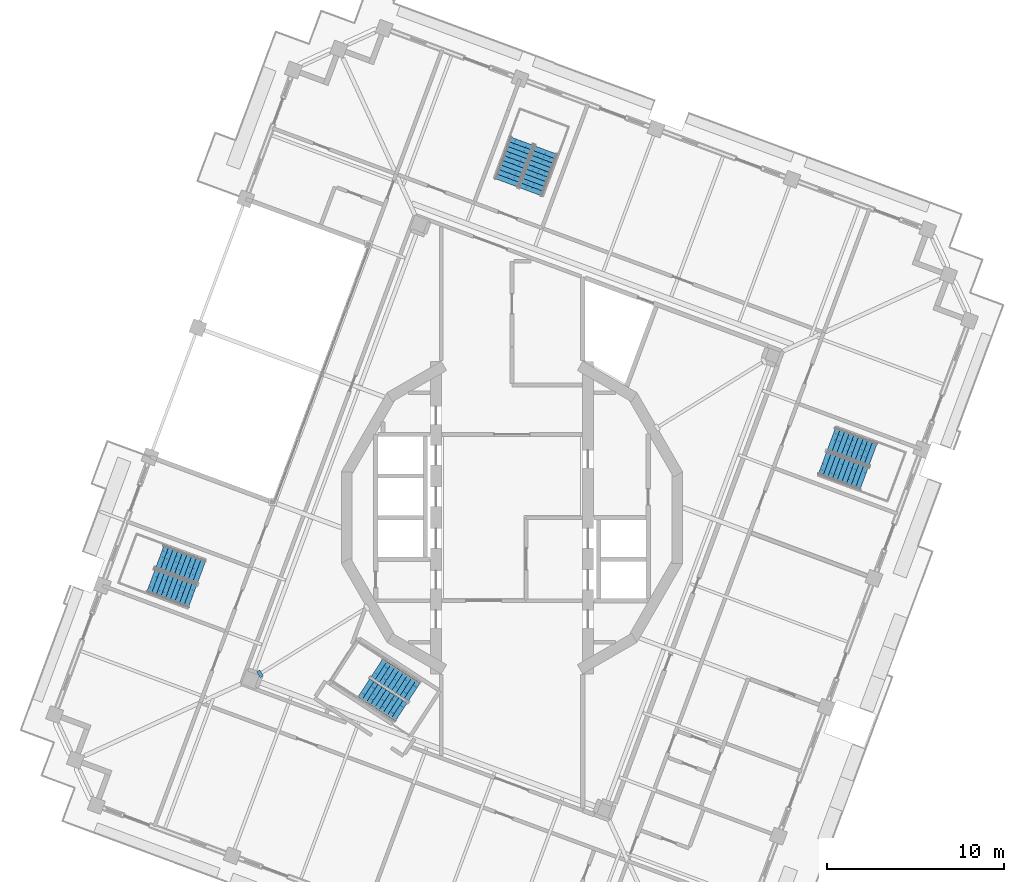
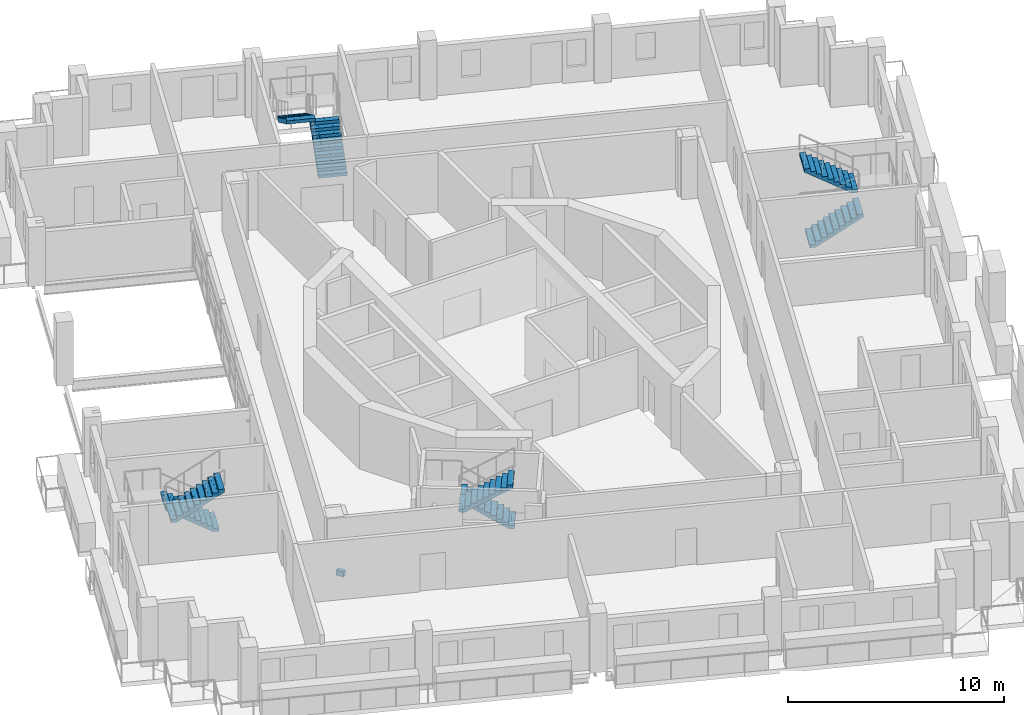
# One storey, part 13 of 20: 8 stair flights, 1 discrete accessory, 4 elements without a shape of their own.
"""IFC4 building model written with IfcOpenShell, lengths in metres."""

from ifc_helpers import new_model, si_unit, direction, frame, origin, place, context, subcontext, project, spatial, polyline, outline, extrude, material, layer, layer_set, type_object, element, aggregate, save


model = new_model("IFC4")

# Units and contexts
model_context = context("Model", 3, precision=1e-05, world=origin(), true_north=direction((0.0, 1.0)))
body_context = subcontext(model_context, "Body", "Model", "MODEL_VIEW")
ifc_project = project(units=[si_unit("LENGTHUNIT", "METRE"), si_unit("AREAUNIT", "SQUARE_METRE"), si_unit("VOLUMEUNIT", "CUBIC_METRE"), si_unit("PLANEANGLEUNIT", "RADIAN"), si_unit("MASSUNIT", "GRAM", prefix="KILO")], contexts=[model_context])

# Site, building, storey
site_placement = place(None, origin())
site = spatial("IfcSite", under=ifc_project, at=site_placement, CompositionType="ELEMENT")
building_placement = place(site_placement, origin())
building = spatial("IfcBuilding", under=site, at=building_placement, Name="Cantera Rosa Tower", CompositionType="ELEMENT")
storey_placement = place(building_placement, frame((0.0, 0.0, 313.300048828125)))
storey = spatial("IfcBuildingStorey", under=building, at=storey_placement, Name="L69", CompositionType="ELEMENT", Elevation=313.300048828125)

# Stair, stair flights
ifc_material_1 = material(Name="Concrete C35/45", Category="concrete")
stair_type_1 = type_object("IfcStairType", Name="EXIT STAIR 1200 DOGLEG", PredefinedType="HALF_TURN_STAIR", material=ifc_material_1)
stair_1_placement = place(storey_placement, origin())
stair_1 = element("IfcStair", 1, at=stair_1_placement, inside=storey, type_object=stair_type_1, Name="L69 ST-64", PredefinedType="HALF_TURN_STAIR")
ifc_material_2 = material(Name="Concrete C35/45", Category="concrete")
stair_flight_type_1 = type_object("IfcStairFlightType", Name="STAIR FLIGHT 1200 R20x180", PredefinedType="STRAIGHT", material=ifc_material_2)
stair_flight_1_placement = place(storey_placement, frame((-5.532470703125, -9.878173828125, 0.0), z_axis=(0.0, 0.0, 1.0), x_axis=(-0.838670567945, 0.544639035015, 0.0)))
stair_flight_1 = element("IfcStairFlight", 2, at=stair_flight_1_placement, type_object=stair_flight_type_1, Name="ST-64 flight 1", NumberOfRisers=10, NumberOfTreads=9, PredefinedType="STRAIGHT", RiserHeight=0.18, TreadLength=0.28, context=body_context, shape_type="SweptSolid", body=[
    extrude(outline(polyline([(0.0, 0.0), (0.0, 0.179931640625), (0.280029296875, 0.179931640625), (0.280029296875, 0.360107421875), (0.56005859375, 0.360107421875), (0.56005859375, 0.5400390625), (0.840087890625, 0.5400390625), (0.840087890625, 0.719970703125), (1.1201171875, 0.719970703125), (1.1201171875, 0.89990234375), (1.39990234375, 0.89990234375), (1.39990234375, 1.080078125), (1.679931640625, 1.080078125), (1.679931640625, 1.260009765625), (1.9599609375, 1.260009765625), (1.9599609375, 1.43994140625), (2.239990234375, 1.43994140625), (2.239990234375, 1.6201171875), (2.52001953125, 1.6201171875), (2.52001953125, 1.800048828125), (2.52001953125, 1.44189453125), (0.277099609375, 0.0), (0.0, 0.0)])), frame((0.0, 0.60009765625, 0.0), z_axis=(0.0, -1.0, 0.0), x_axis=(1.0, 0.0, 0.0)), (0.0, 0.0, 1.0), 0.298583984375),
    extrude(outline(polyline([(0.0, 0.0), (0.0, 0.179931640625), (0.280029296875, 0.179931640625), (0.280029296875, 0.360107421875), (0.56005859375, 0.360107421875), (0.56005859375, 0.5400390625), (0.840087890625, 0.5400390625), (0.840087890625, 0.719970703125), (1.1201171875, 0.719970703125), (1.1201171875, 0.89990234375), (1.39990234375, 0.89990234375), (1.39990234375, 1.080078125), (1.679931640625, 1.080078125), (1.679931640625, 1.260009765625), (1.9599609375, 1.260009765625), (1.9599609375, 1.43994140625), (2.239990234375, 1.43994140625), (2.239990234375, 1.6201171875), (2.52001953125, 1.6201171875), (2.52001953125, 1.800048828125), (2.52001953125, 1.44189453125), (0.277099609375, 0.0), (0.0, 0.0)])), frame((0.0, 0.29931640625, 0.0), z_axis=(0.0, -1.0, 0.0), x_axis=(1.0, 0.0, 0.0)), (0.0, 0.0, 1.0), 0.298583984375),
    extrude(outline(polyline([(0.0, 0.0), (0.0, 0.179931640625), (0.280029296875, 0.179931640625), (0.280029296875, 0.360107421875), (0.56005859375, 0.360107421875), (0.56005859375, 0.5400390625), (0.840087890625, 0.5400390625), (0.840087890625, 0.719970703125), (1.1201171875, 0.719970703125), (1.1201171875, 0.89990234375), (1.39990234375, 0.89990234375), (1.39990234375, 1.080078125), (1.679931640625, 1.080078125), (1.679931640625, 1.260009765625), (1.9599609375, 1.260009765625), (1.9599609375, 1.43994140625), (2.239990234375, 1.43994140625), (2.239990234375, 1.6201171875), (2.52001953125, 1.6201171875), (2.52001953125, 1.800048828125), (2.52001953125, 1.44189453125), (0.277099609375, 0.0), (0.0, 0.0)])), frame((0.0, -0.0009765625, 0.0), z_axis=(0.0, -1.0, 0.0), x_axis=(1.0, 0.0, 0.0)), (0.0, 0.0, 1.0), 0.298583984375),
    extrude(outline(polyline([(0.0, 0.0), (0.0, 0.179931640625), (0.280029296875, 0.179931640625), (0.280029296875, 0.360107421875), (0.56005859375, 0.360107421875), (0.56005859375, 0.5400390625), (0.840087890625, 0.5400390625), (0.840087890625, 0.719970703125), (1.1201171875, 0.719970703125), (1.1201171875, 0.89990234375), (1.39990234375, 0.89990234375), (1.39990234375, 1.080078125), (1.679931640625, 1.080078125), (1.679931640625, 1.260009765625), (1.9599609375, 1.260009765625), (1.9599609375, 1.43994140625), (2.239990234375, 1.43994140625), (2.239990234375, 1.6201171875), (2.52001953125, 1.6201171875), (2.52001953125, 1.800048828125), (2.52001953125, 1.44189453125), (0.277099609375, 0.0), (0.0, 0.0)])), frame((0.0, -0.3017578125, 0.0), z_axis=(0.0, -1.0, 0.0), x_axis=(1.0, 0.0, 0.0)), (0.0, 0.0, 1.0), 0.298583984375),
])
stair_flight_2_placement = place(storey_placement, frame((-8.381103515625, -9.6376953125, 1.800048828125), z_axis=(0.0, 0.0, 1.0), x_axis=(0.838670567945, -0.544639035015, 0.0)))
stair_flight_2 = element("IfcStairFlight", 3, at=stair_flight_2_placement, type_object=stair_flight_type_1, Name="ST-64 flight 2", NumberOfRisers=10, NumberOfTreads=9, PredefinedType="STRAIGHT", RiserHeight=0.18, TreadLength=0.28, context=body_context, shape_type="SweptSolid", body=[
    extrude(outline(polyline([(0.0, 0.0), (0.0, 0.179931640625), (0.280029296875, 0.179931640625), (0.280029296875, 0.360107421875), (0.56005859375, 0.360107421875), (0.56005859375, 0.5400390625), (0.840087890625, 0.5400390625), (0.840087890625, 0.719970703125), (1.1201171875, 0.719970703125), (1.1201171875, 0.89990234375), (1.39990234375, 0.89990234375), (1.39990234375, 1.080078125), (1.679931640625, 1.080078125), (1.679931640625, 1.260009765625), (1.9599609375, 1.260009765625), (1.9599609375, 1.43994140625), (2.239990234375, 1.43994140625), (2.239990234375, 1.6201171875), (2.52001953125, 1.6201171875), (2.52001953125, 1.800048828125), (2.52001953125, 1.44189453125), (0.277099609375, 0.0), (0.0, 0.0)])), frame((0.0, 0.60009765625, 0.0), z_axis=(0.0, -1.0, 0.0), x_axis=(1.0, 0.0, 0.0)), (0.0, 0.0, 1.0), 0.298583984375),
    extrude(outline(polyline([(0.0, 0.0), (0.0, 0.179931640625), (0.280029296875, 0.179931640625), (0.280029296875, 0.360107421875), (0.56005859375, 0.360107421875), (0.56005859375, 0.5400390625), (0.840087890625, 0.5400390625), (0.840087890625, 0.719970703125), (1.1201171875, 0.719970703125), (1.1201171875, 0.89990234375), (1.39990234375, 0.89990234375), (1.39990234375, 1.080078125), (1.679931640625, 1.080078125), (1.679931640625, 1.260009765625), (1.9599609375, 1.260009765625), (1.9599609375, 1.43994140625), (2.239990234375, 1.43994140625), (2.239990234375, 1.6201171875), (2.52001953125, 1.6201171875), (2.52001953125, 1.800048828125), (2.52001953125, 1.44189453125), (0.277099609375, 0.0), (0.0, 0.0)])), frame((0.0, 0.29931640625, 0.0), z_axis=(0.0, -1.0, 0.0), x_axis=(1.0, 0.0, 0.0)), (0.0, 0.0, 1.0), 0.298583984375),
    extrude(outline(polyline([(0.0, 0.0), (0.0, 0.179931640625), (0.280029296875, 0.179931640625), (0.280029296875, 0.360107421875), (0.56005859375, 0.360107421875), (0.56005859375, 0.5400390625), (0.840087890625, 0.5400390625), (0.840087890625, 0.719970703125), (1.1201171875, 0.719970703125), (1.1201171875, 0.89990234375), (1.39990234375, 0.89990234375), (1.39990234375, 1.080078125), (1.679931640625, 1.080078125), (1.679931640625, 1.260009765625), (1.9599609375, 1.260009765625), (1.9599609375, 1.43994140625), (2.239990234375, 1.43994140625), (2.239990234375, 1.6201171875), (2.52001953125, 1.6201171875), (2.52001953125, 1.800048828125), (2.52001953125, 1.44189453125), (0.277099609375, 0.0), (0.0, 0.0)])), frame((0.0, -0.0009765625, 0.0), z_axis=(0.0, -1.0, 0.0), x_axis=(1.0, 0.0, 0.0)), (0.0, 0.0, 1.0), 0.298583984375),
    extrude(outline(polyline([(0.0, 0.0), (0.0, 0.179931640625), (0.280029296875, 0.179931640625), (0.280029296875, 0.360107421875), (0.56005859375, 0.360107421875), (0.56005859375, 0.5400390625), (0.840087890625, 0.5400390625), (0.840087890625, 0.719970703125), (1.1201171875, 0.719970703125), (1.1201171875, 0.89990234375), (1.39990234375, 0.89990234375), (1.39990234375, 1.080078125), (1.679931640625, 1.080078125), (1.679931640625, 1.260009765625), (1.9599609375, 1.260009765625), (1.9599609375, 1.43994140625), (2.239990234375, 1.43994140625), (2.239990234375, 1.6201171875), (2.52001953125, 1.6201171875), (2.52001953125, 1.800048828125), (2.52001953125, 1.44189453125), (0.277099609375, 0.0), (0.0, 0.0)])), frame((0.0, -0.3017578125, 0.0), z_axis=(0.0, -1.0, 0.0), x_axis=(1.0, 0.0, 0.0)), (0.0, 0.0, 1.0), 0.298583984375),
])
aggregate(stair_1, [stair_flight_1, stair_flight_2])

ifc_material_3 = material(Name="Concrete C35/45", Category="concrete")
stair_type_2 = type_object("IfcStairType", Name="EXIT STAIR 1350 DOGLEG", PredefinedType="HALF_TURN_STAIR", material=ifc_material_3)
stair_2_placement = place(storey_placement, origin())
stair_2 = element("IfcStair", 4, at=stair_2_placement, inside=storey, type_object=stair_type_2, Name="L69 ST-61", PredefinedType="HALF_TURN_STAIR")
ifc_material_4 = material(Name="Concrete C35/45", Category="concrete")
stair_flight_type_2 = type_object("IfcStairFlightType", Name="STAIR FLIGHT 1350 R20x180", PredefinedType="STRAIGHT", material=ifc_material_4)
stair_flight_3_placement = place(storey_placement, frame((17.55908203125, 3.064453125, 0.0), z_axis=(0.0, 0.0, 1.0), x_axis=(0.937686938944, -0.347481229039, 0.0)))
stair_flight_3 = element("IfcStairFlight", 5, at=stair_flight_3_placement, type_object=stair_flight_type_2, Name="ST-61 flight 1", NumberOfRisers=10, NumberOfTreads=9, PredefinedType="STRAIGHT", RiserHeight=0.18, TreadLength=0.28, context=body_context, shape_type="SweptSolid", body=[
    extrude(outline(polyline([(0.0, 0.0), (0.0, 0.179931640625), (0.280029296875, 0.179931640625), (0.280029296875, 0.360107421875), (0.56005859375, 0.360107421875), (0.56005859375, 0.5400390625), (0.840087890625, 0.5400390625), (0.840087890625, 0.719970703125), (1.1201171875, 0.719970703125), (1.1201171875, 0.89990234375), (1.39990234375, 0.89990234375), (1.39990234375, 1.080078125), (1.679931640625, 1.080078125), (1.679931640625, 1.260009765625), (1.9599609375, 1.260009765625), (1.9599609375, 1.43994140625), (2.239990234375, 1.43994140625), (2.239990234375, 1.6201171875), (2.52001953125, 1.6201171875), (2.52001953125, 1.800048828125), (2.52001953125, 1.44189453125), (0.277099609375, 0.0), (0.0, 0.0)])), frame((0.0, 0.675048828125, 0.0), z_axis=(0.0, -1.0, 0.0), x_axis=(1.0, 0.0, 0.0)), (0.0, 0.0, 1.0), 0.3359375),
    extrude(outline(polyline([(0.0, 0.0), (0.0, 0.179931640625), (0.280029296875, 0.179931640625), (0.280029296875, 0.360107421875), (0.56005859375, 0.360107421875), (0.56005859375, 0.5400390625), (0.840087890625, 0.5400390625), (0.840087890625, 0.719970703125), (1.1201171875, 0.719970703125), (1.1201171875, 0.89990234375), (1.39990234375, 0.89990234375), (1.39990234375, 1.080078125), (1.679931640625, 1.080078125), (1.679931640625, 1.260009765625), (1.9599609375, 1.260009765625), (1.9599609375, 1.43994140625), (2.239990234375, 1.43994140625), (2.239990234375, 1.6201171875), (2.52001953125, 1.6201171875), (2.52001953125, 1.800048828125), (2.52001953125, 1.44189453125), (0.277099609375, 0.0), (0.0, 0.0)])), frame((0.0, 0.337158203125, 0.0), z_axis=(0.0, -1.0, 0.0), x_axis=(1.0, 0.0, 0.0)), (0.0, 0.0, 1.0), 0.3359375),
    extrude(outline(polyline([(0.0, 0.0), (0.0, 0.179931640625), (0.280029296875, 0.179931640625), (0.280029296875, 0.360107421875), (0.56005859375, 0.360107421875), (0.56005859375, 0.5400390625), (0.840087890625, 0.5400390625), (0.840087890625, 0.719970703125), (1.1201171875, 0.719970703125), (1.1201171875, 0.89990234375), (1.39990234375, 0.89990234375), (1.39990234375, 1.080078125), (1.679931640625, 1.080078125), (1.679931640625, 1.260009765625), (1.9599609375, 1.260009765625), (1.9599609375, 1.43994140625), (2.239990234375, 1.43994140625), (2.239990234375, 1.6201171875), (2.52001953125, 1.6201171875), (2.52001953125, 1.800048828125), (2.52001953125, 1.44189453125), (0.277099609375, 0.0), (0.0, 0.0)])), frame((0.0, -0.000732421875, 0.0), z_axis=(0.0, -1.0, 0.0), x_axis=(1.0, 0.0, 0.0)), (0.0, 0.0, 1.0), 0.3359375),
    extrude(outline(polyline([(0.0, 0.0), (0.0, 0.179931640625), (0.280029296875, 0.179931640625), (0.280029296875, 0.360107421875), (0.56005859375, 0.360107421875), (0.56005859375, 0.5400390625), (0.840087890625, 0.5400390625), (0.840087890625, 0.719970703125), (1.1201171875, 0.719970703125), (1.1201171875, 0.89990234375), (1.39990234375, 0.89990234375), (1.39990234375, 1.080078125), (1.679931640625, 1.080078125), (1.679931640625, 1.260009765625), (1.9599609375, 1.260009765625), (1.9599609375, 1.43994140625), (2.239990234375, 1.43994140625), (2.239990234375, 1.6201171875), (2.52001953125, 1.6201171875), (2.52001953125, 1.800048828125), (2.52001953125, 1.44189453125), (0.277099609375, 0.0), (0.0, 0.0)])), frame((0.0, -0.338623046875, 0.0), z_axis=(0.0, -1.0, 0.0), x_axis=(1.0, 0.0, 0.0)), (0.0, 0.0, 1.0), 0.3359375),
])
stair_flight_4_placement = place(storey_placement, frame((20.443115234375, 3.595458984375, 1.800048828125), z_axis=(0.0, 0.0, 1.0), x_axis=(-0.937686938944, 0.347481229039, 0.0)))
stair_flight_4 = element("IfcStairFlight", 6, at=stair_flight_4_placement, type_object=stair_flight_type_2, Name="ST-61 flight 2", NumberOfRisers=10, NumberOfTreads=9, PredefinedType="STRAIGHT", RiserHeight=0.18, TreadLength=0.28, context=body_context, shape_type="SweptSolid", body=[
    extrude(outline(polyline([(0.0, 0.0), (0.0, 0.179931640625), (0.280029296875, 0.179931640625), (0.280029296875, 0.360107421875), (0.56005859375, 0.360107421875), (0.56005859375, 0.5400390625), (0.840087890625, 0.5400390625), (0.840087890625, 0.719970703125), (1.1201171875, 0.719970703125), (1.1201171875, 0.89990234375), (1.39990234375, 0.89990234375), (1.39990234375, 1.080078125), (1.679931640625, 1.080078125), (1.679931640625, 1.260009765625), (1.9599609375, 1.260009765625), (1.9599609375, 1.43994140625), (2.239990234375, 1.43994140625), (2.239990234375, 1.6201171875), (2.52001953125, 1.6201171875), (2.52001953125, 1.800048828125), (2.52001953125, 1.44189453125), (0.277099609375, 0.0), (0.0, 0.0)])), frame((0.0, 0.675048828125, 0.0), z_axis=(0.0, -1.0, 0.0), x_axis=(1.0, 0.0, 0.0)), (0.0, 0.0, 1.0), 0.3359375),
    extrude(outline(polyline([(0.0, 0.0), (0.0, 0.179931640625), (0.280029296875, 0.179931640625), (0.280029296875, 0.360107421875), (0.56005859375, 0.360107421875), (0.56005859375, 0.5400390625), (0.840087890625, 0.5400390625), (0.840087890625, 0.719970703125), (1.1201171875, 0.719970703125), (1.1201171875, 0.89990234375), (1.39990234375, 0.89990234375), (1.39990234375, 1.080078125), (1.679931640625, 1.080078125), (1.679931640625, 1.260009765625), (1.9599609375, 1.260009765625), (1.9599609375, 1.43994140625), (2.239990234375, 1.43994140625), (2.239990234375, 1.6201171875), (2.52001953125, 1.6201171875), (2.52001953125, 1.800048828125), (2.52001953125, 1.44189453125), (0.277099609375, 0.0), (0.0, 0.0)])), frame((0.0, 0.337158203125, 0.0), z_axis=(0.0, -1.0, 0.0), x_axis=(1.0, 0.0, 0.0)), (0.0, 0.0, 1.0), 0.3359375),
    extrude(outline(polyline([(0.0, 0.0), (0.0, 0.179931640625), (0.280029296875, 0.179931640625), (0.280029296875, 0.360107421875), (0.56005859375, 0.360107421875), (0.56005859375, 0.5400390625), (0.840087890625, 0.5400390625), (0.840087890625, 0.719970703125), (1.1201171875, 0.719970703125), (1.1201171875, 0.89990234375), (1.39990234375, 0.89990234375), (1.39990234375, 1.080078125), (1.679931640625, 1.080078125), (1.679931640625, 1.260009765625), (1.9599609375, 1.260009765625), (1.9599609375, 1.43994140625), (2.239990234375, 1.43994140625), (2.239990234375, 1.6201171875), (2.52001953125, 1.6201171875), (2.52001953125, 1.800048828125), (2.52001953125, 1.44189453125), (0.277099609375, 0.0), (0.0, 0.0)])), frame((0.0, -0.000732421875, 0.0), z_axis=(0.0, -1.0, 0.0), x_axis=(1.0, 0.0, 0.0)), (0.0, 0.0, 1.0), 0.3359375),
    extrude(outline(polyline([(0.0, 0.0), (0.0, 0.179931640625), (0.280029296875, 0.179931640625), (0.280029296875, 0.360107421875), (0.56005859375, 0.360107421875), (0.56005859375, 0.5400390625), (0.840087890625, 0.5400390625), (0.840087890625, 0.719970703125), (1.1201171875, 0.719970703125), (1.1201171875, 0.89990234375), (1.39990234375, 0.89990234375), (1.39990234375, 1.080078125), (1.679931640625, 1.080078125), (1.679931640625, 1.260009765625), (1.9599609375, 1.260009765625), (1.9599609375, 1.43994140625), (2.239990234375, 1.43994140625), (2.239990234375, 1.6201171875), (2.52001953125, 1.6201171875), (2.52001953125, 1.800048828125), (2.52001953125, 1.44189453125), (0.277099609375, 0.0), (0.0, 0.0)])), frame((0.0, -0.338623046875, 0.0), z_axis=(0.0, -1.0, 0.0), x_axis=(1.0, 0.0, 0.0)), (0.0, 0.0, 1.0), 0.3359375),
])
aggregate(stair_2, [stair_flight_3, stair_flight_4])

stair_3_placement = place(storey_placement, origin())
stair_3 = element("IfcStair", 7, at=stair_3_placement, inside=storey, type_object=stair_type_2, Name="L69 ST-62", PredefinedType="HALF_TURN_STAIR")
stair_flight_5_placement = place(storey_placement, frame((1.069580078125, 18.426513671875, 0.0), z_axis=(0.0, 0.0, 1.0), x_axis=(0.347481229039, 0.937686938944, 0.0)))
stair_flight_5 = element("IfcStairFlight", 8, at=stair_flight_5_placement, type_object=stair_flight_type_2, Name="ST-62 flight 1", NumberOfRisers=10, NumberOfTreads=9, PredefinedType="STRAIGHT", RiserHeight=0.18, TreadLength=0.28, context=body_context, shape_type="SweptSolid", body=[
    extrude(outline(polyline([(0.0, 0.0), (0.0, 0.179931640625), (0.280029296875, 0.179931640625), (0.280029296875, 0.360107421875), (0.56005859375, 0.360107421875), (0.56005859375, 0.5400390625), (0.840087890625, 0.5400390625), (0.840087890625, 0.719970703125), (1.1201171875, 0.719970703125), (1.1201171875, 0.89990234375), (1.39990234375, 0.89990234375), (1.39990234375, 1.080078125), (1.679931640625, 1.080078125), (1.679931640625, 1.260009765625), (1.9599609375, 1.260009765625), (1.9599609375, 1.43994140625), (2.239990234375, 1.43994140625), (2.239990234375, 1.6201171875), (2.52001953125, 1.6201171875), (2.52001953125, 1.800048828125), (2.52001953125, 1.44189453125), (0.277099609375, 0.0), (0.0, 0.0)])), frame((0.0, 0.675048828125, 0.0), z_axis=(0.0, -1.0, 0.0), x_axis=(1.0, 0.0, 0.0)), (0.0, 0.0, 1.0), 0.3359375),
    extrude(outline(polyline([(0.0, 0.0), (0.0, 0.179931640625), (0.280029296875, 0.179931640625), (0.280029296875, 0.360107421875), (0.56005859375, 0.360107421875), (0.56005859375, 0.5400390625), (0.840087890625, 0.5400390625), (0.840087890625, 0.719970703125), (1.1201171875, 0.719970703125), (1.1201171875, 0.89990234375), (1.39990234375, 0.89990234375), (1.39990234375, 1.080078125), (1.679931640625, 1.080078125), (1.679931640625, 1.260009765625), (1.9599609375, 1.260009765625), (1.9599609375, 1.43994140625), (2.239990234375, 1.43994140625), (2.239990234375, 1.6201171875), (2.52001953125, 1.6201171875), (2.52001953125, 1.800048828125), (2.52001953125, 1.44189453125), (0.277099609375, 0.0), (0.0, 0.0)])), frame((0.0, 0.337158203125, 0.0), z_axis=(0.0, -1.0, 0.0), x_axis=(1.0, 0.0, 0.0)), (0.0, 0.0, 1.0), 0.3359375),
    extrude(outline(polyline([(0.0, 0.0), (0.0, 0.179931640625), (0.280029296875, 0.179931640625), (0.280029296875, 0.360107421875), (0.56005859375, 0.360107421875), (0.56005859375, 0.5400390625), (0.840087890625, 0.5400390625), (0.840087890625, 0.719970703125), (1.1201171875, 0.719970703125), (1.1201171875, 0.89990234375), (1.39990234375, 0.89990234375), (1.39990234375, 1.080078125), (1.679931640625, 1.080078125), (1.679931640625, 1.260009765625), (1.9599609375, 1.260009765625), (1.9599609375, 1.43994140625), (2.239990234375, 1.43994140625), (2.239990234375, 1.6201171875), (2.52001953125, 1.6201171875), (2.52001953125, 1.800048828125), (2.52001953125, 1.44189453125), (0.277099609375, 0.0), (0.0, 0.0)])), frame((0.0, -0.000732421875, 0.0), z_axis=(0.0, -1.0, 0.0), x_axis=(1.0, 0.0, 0.0)), (0.0, 0.0, 1.0), 0.3359375),
    extrude(outline(polyline([(0.0, 0.0), (0.0, 0.179931640625), (0.280029296875, 0.179931640625), (0.280029296875, 0.360107421875), (0.56005859375, 0.360107421875), (0.56005859375, 0.5400390625), (0.840087890625, 0.5400390625), (0.840087890625, 0.719970703125), (1.1201171875, 0.719970703125), (1.1201171875, 0.89990234375), (1.39990234375, 0.89990234375), (1.39990234375, 1.080078125), (1.679931640625, 1.080078125), (1.679931640625, 1.260009765625), (1.9599609375, 1.260009765625), (1.9599609375, 1.43994140625), (2.239990234375, 1.43994140625), (2.239990234375, 1.6201171875), (2.52001953125, 1.6201171875), (2.52001953125, 1.800048828125), (2.52001953125, 1.44189453125), (0.277099609375, 0.0), (0.0, 0.0)])), frame((0.0, -0.338623046875, 0.0), z_axis=(0.0, -1.0, 0.0), x_axis=(1.0, 0.0, 0.0)), (0.0, 0.0, 1.0), 0.3359375),
])
stair_flight_6_placement = place(storey_placement, frame((0.53857421875, 21.310791015625, 1.800048828125), z_axis=(0.0, 0.0, 1.0), x_axis=(-0.347481229039, -0.937686938944, 0.0)))
stair_flight_6 = element("IfcStairFlight", 9, at=stair_flight_6_placement, type_object=stair_flight_type_2, Name="ST-62 flight 2", NumberOfRisers=10, NumberOfTreads=9, PredefinedType="STRAIGHT", RiserHeight=0.18, TreadLength=0.28, context=body_context, shape_type="SweptSolid", body=[
    extrude(outline(polyline([(0.0, 0.0), (0.0, 0.179931640625), (0.280029296875, 0.179931640625), (0.280029296875, 0.360107421875), (0.56005859375, 0.360107421875), (0.56005859375, 0.5400390625), (0.840087890625, 0.5400390625), (0.840087890625, 0.719970703125), (1.1201171875, 0.719970703125), (1.1201171875, 0.89990234375), (1.39990234375, 0.89990234375), (1.39990234375, 1.080078125), (1.679931640625, 1.080078125), (1.679931640625, 1.260009765625), (1.9599609375, 1.260009765625), (1.9599609375, 1.43994140625), (2.239990234375, 1.43994140625), (2.239990234375, 1.6201171875), (2.52001953125, 1.6201171875), (2.52001953125, 1.800048828125), (2.52001953125, 1.44189453125), (0.277099609375, 0.0), (0.0, 0.0)])), frame((0.0, 0.675048828125, 0.0), z_axis=(0.0, -1.0, 0.0), x_axis=(1.0, 0.0, 0.0)), (0.0, 0.0, 1.0), 0.3359375),
    extrude(outline(polyline([(0.0, 0.0), (0.0, 0.179931640625), (0.280029296875, 0.179931640625), (0.280029296875, 0.360107421875), (0.56005859375, 0.360107421875), (0.56005859375, 0.5400390625), (0.840087890625, 0.5400390625), (0.840087890625, 0.719970703125), (1.1201171875, 0.719970703125), (1.1201171875, 0.89990234375), (1.39990234375, 0.89990234375), (1.39990234375, 1.080078125), (1.679931640625, 1.080078125), (1.679931640625, 1.260009765625), (1.9599609375, 1.260009765625), (1.9599609375, 1.43994140625), (2.239990234375, 1.43994140625), (2.239990234375, 1.6201171875), (2.52001953125, 1.6201171875), (2.52001953125, 1.800048828125), (2.52001953125, 1.44189453125), (0.277099609375, 0.0), (0.0, 0.0)])), frame((0.0, 0.337158203125, 0.0), z_axis=(0.0, -1.0, 0.0), x_axis=(1.0, 0.0, 0.0)), (0.0, 0.0, 1.0), 0.3359375),
    extrude(outline(polyline([(0.0, 0.0), (0.0, 0.179931640625), (0.280029296875, 0.179931640625), (0.280029296875, 0.360107421875), (0.56005859375, 0.360107421875), (0.56005859375, 0.5400390625), (0.840087890625, 0.5400390625), (0.840087890625, 0.719970703125), (1.1201171875, 0.719970703125), (1.1201171875, 0.89990234375), (1.39990234375, 0.89990234375), (1.39990234375, 1.080078125), (1.679931640625, 1.080078125), (1.679931640625, 1.260009765625), (1.9599609375, 1.260009765625), (1.9599609375, 1.43994140625), (2.239990234375, 1.43994140625), (2.239990234375, 1.6201171875), (2.52001953125, 1.6201171875), (2.52001953125, 1.800048828125), (2.52001953125, 1.44189453125), (0.277099609375, 0.0), (0.0, 0.0)])), frame((0.0, -0.000732421875, 0.0), z_axis=(0.0, -1.0, 0.0), x_axis=(1.0, 0.0, 0.0)), (0.0, 0.0, 1.0), 0.3359375),
    extrude(outline(polyline([(0.0, 0.0), (0.0, 0.179931640625), (0.280029296875, 0.179931640625), (0.280029296875, 0.360107421875), (0.56005859375, 0.360107421875), (0.56005859375, 0.5400390625), (0.840087890625, 0.5400390625), (0.840087890625, 0.719970703125), (1.1201171875, 0.719970703125), (1.1201171875, 0.89990234375), (1.39990234375, 0.89990234375), (1.39990234375, 1.080078125), (1.679931640625, 1.080078125), (1.679931640625, 1.260009765625), (1.9599609375, 1.260009765625), (1.9599609375, 1.43994140625), (2.239990234375, 1.43994140625), (2.239990234375, 1.6201171875), (2.52001953125, 1.6201171875), (2.52001953125, 1.800048828125), (2.52001953125, 1.44189453125), (0.277099609375, 0.0), (0.0, 0.0)])), frame((0.0, -0.338623046875, 0.0), z_axis=(0.0, -1.0, 0.0), x_axis=(1.0, 0.0, 0.0)), (0.0, 0.0, 1.0), 0.3359375),
])
aggregate(stair_3, [stair_flight_5, stair_flight_6])

stair_4_placement = place(storey_placement, origin())
stair_4 = element("IfcStair", 10, at=stair_4_placement, inside=storey, type_object=stair_type_2, Name="L69 ST-63", PredefinedType="HALF_TURN_STAIR")
stair_flight_7_placement = place(storey_placement, frame((-17.55908203125, -3.064453125, 0.0), z_axis=(0.0, 0.0, 1.0), x_axis=(-0.937686938944, 0.347481229039, 0.0)))
stair_flight_7 = element("IfcStairFlight", 11, at=stair_flight_7_placement, type_object=stair_flight_type_2, Name="ST-63 flight 1", NumberOfRisers=10, NumberOfTreads=9, PredefinedType="STRAIGHT", RiserHeight=0.18, TreadLength=0.28, context=body_context, shape_type="SweptSolid", body=[
    extrude(outline(polyline([(0.0, 0.0), (0.0, 0.179931640625), (0.280029296875, 0.179931640625), (0.280029296875, 0.360107421875), (0.56005859375, 0.360107421875), (0.56005859375, 0.5400390625), (0.840087890625, 0.5400390625), (0.840087890625, 0.719970703125), (1.1201171875, 0.719970703125), (1.1201171875, 0.89990234375), (1.39990234375, 0.89990234375), (1.39990234375, 1.080078125), (1.679931640625, 1.080078125), (1.679931640625, 1.260009765625), (1.9599609375, 1.260009765625), (1.9599609375, 1.43994140625), (2.239990234375, 1.43994140625), (2.239990234375, 1.6201171875), (2.52001953125, 1.6201171875), (2.52001953125, 1.800048828125), (2.52001953125, 1.44189453125), (0.277099609375, 0.0), (0.0, 0.0)])), frame((0.0, 0.675048828125, 0.0), z_axis=(0.0, -1.0, 0.0), x_axis=(1.0, 0.0, 0.0)), (0.0, 0.0, 1.0), 0.3359375),
    extrude(outline(polyline([(0.0, 0.0), (0.0, 0.179931640625), (0.280029296875, 0.179931640625), (0.280029296875, 0.360107421875), (0.56005859375, 0.360107421875), (0.56005859375, 0.5400390625), (0.840087890625, 0.5400390625), (0.840087890625, 0.719970703125), (1.1201171875, 0.719970703125), (1.1201171875, 0.89990234375), (1.39990234375, 0.89990234375), (1.39990234375, 1.080078125), (1.679931640625, 1.080078125), (1.679931640625, 1.260009765625), (1.9599609375, 1.260009765625), (1.9599609375, 1.43994140625), (2.239990234375, 1.43994140625), (2.239990234375, 1.6201171875), (2.52001953125, 1.6201171875), (2.52001953125, 1.800048828125), (2.52001953125, 1.44189453125), (0.277099609375, 0.0), (0.0, 0.0)])), frame((0.0, 0.337158203125, 0.0), z_axis=(0.0, -1.0, 0.0), x_axis=(1.0, 0.0, 0.0)), (0.0, 0.0, 1.0), 0.3359375),
    extrude(outline(polyline([(0.0, 0.0), (0.0, 0.179931640625), (0.280029296875, 0.179931640625), (0.280029296875, 0.360107421875), (0.56005859375, 0.360107421875), (0.56005859375, 0.5400390625), (0.840087890625, 0.5400390625), (0.840087890625, 0.719970703125), (1.1201171875, 0.719970703125), (1.1201171875, 0.89990234375), (1.39990234375, 0.89990234375), (1.39990234375, 1.080078125), (1.679931640625, 1.080078125), (1.679931640625, 1.260009765625), (1.9599609375, 1.260009765625), (1.9599609375, 1.43994140625), (2.239990234375, 1.43994140625), (2.239990234375, 1.6201171875), (2.52001953125, 1.6201171875), (2.52001953125, 1.800048828125), (2.52001953125, 1.44189453125), (0.277099609375, 0.0), (0.0, 0.0)])), frame((0.0, -0.000732421875, 0.0), z_axis=(0.0, -1.0, 0.0), x_axis=(1.0, 0.0, 0.0)), (0.0, 0.0, 1.0), 0.3359375),
    extrude(outline(polyline([(0.0, 0.0), (0.0, 0.179931640625), (0.280029296875, 0.179931640625), (0.280029296875, 0.360107421875), (0.56005859375, 0.360107421875), (0.56005859375, 0.5400390625), (0.840087890625, 0.5400390625), (0.840087890625, 0.719970703125), (1.1201171875, 0.719970703125), (1.1201171875, 0.89990234375), (1.39990234375, 0.89990234375), (1.39990234375, 1.080078125), (1.679931640625, 1.080078125), (1.679931640625, 1.260009765625), (1.9599609375, 1.260009765625), (1.9599609375, 1.43994140625), (2.239990234375, 1.43994140625), (2.239990234375, 1.6201171875), (2.52001953125, 1.6201171875), (2.52001953125, 1.800048828125), (2.52001953125, 1.44189453125), (0.277099609375, 0.0), (0.0, 0.0)])), frame((0.0, -0.338623046875, 0.0), z_axis=(0.0, -1.0, 0.0), x_axis=(1.0, 0.0, 0.0)), (0.0, 0.0, 1.0), 0.3359375),
])
stair_flight_8_placement = place(storey_placement, frame((-20.443115234375, -3.595458984375, 1.800048828125), z_axis=(0.0, 0.0, 1.0), x_axis=(0.937686938944, -0.347481229039, 0.0)))
stair_flight_8 = element("IfcStairFlight", 12, at=stair_flight_8_placement, type_object=stair_flight_type_2, Name="ST-63 flight 2", NumberOfRisers=10, NumberOfTreads=9, PredefinedType="STRAIGHT", RiserHeight=0.18, TreadLength=0.28, context=body_context, shape_type="SweptSolid", body=[
    extrude(outline(polyline([(0.0, 0.0), (0.0, 0.179931640625), (0.280029296875, 0.179931640625), (0.280029296875, 0.360107421875), (0.56005859375, 0.360107421875), (0.56005859375, 0.5400390625), (0.840087890625, 0.5400390625), (0.840087890625, 0.719970703125), (1.1201171875, 0.719970703125), (1.1201171875, 0.89990234375), (1.39990234375, 0.89990234375), (1.39990234375, 1.080078125), (1.679931640625, 1.080078125), (1.679931640625, 1.260009765625), (1.9599609375, 1.260009765625), (1.9599609375, 1.43994140625), (2.239990234375, 1.43994140625), (2.239990234375, 1.6201171875), (2.52001953125, 1.6201171875), (2.52001953125, 1.800048828125), (2.52001953125, 1.44189453125), (0.277099609375, 0.0), (0.0, 0.0)])), frame((0.0, 0.675048828125, 0.0), z_axis=(0.0, -1.0, 0.0), x_axis=(1.0, 0.0, 0.0)), (0.0, 0.0, 1.0), 0.3359375),
    extrude(outline(polyline([(0.0, 0.0), (0.0, 0.179931640625), (0.280029296875, 0.179931640625), (0.280029296875, 0.360107421875), (0.56005859375, 0.360107421875), (0.56005859375, 0.5400390625), (0.840087890625, 0.5400390625), (0.840087890625, 0.719970703125), (1.1201171875, 0.719970703125), (1.1201171875, 0.89990234375), (1.39990234375, 0.89990234375), (1.39990234375, 1.080078125), (1.679931640625, 1.080078125), (1.679931640625, 1.260009765625), (1.9599609375, 1.260009765625), (1.9599609375, 1.43994140625), (2.239990234375, 1.43994140625), (2.239990234375, 1.6201171875), (2.52001953125, 1.6201171875), (2.52001953125, 1.800048828125), (2.52001953125, 1.44189453125), (0.277099609375, 0.0), (0.0, 0.0)])), frame((0.0, 0.337158203125, 0.0), z_axis=(0.0, -1.0, 0.0), x_axis=(1.0, 0.0, 0.0)), (0.0, 0.0, 1.0), 0.3359375),
    extrude(outline(polyline([(0.0, 0.0), (0.0, 0.179931640625), (0.280029296875, 0.179931640625), (0.280029296875, 0.360107421875), (0.56005859375, 0.360107421875), (0.56005859375, 0.5400390625), (0.840087890625, 0.5400390625), (0.840087890625, 0.719970703125), (1.1201171875, 0.719970703125), (1.1201171875, 0.89990234375), (1.39990234375, 0.89990234375), (1.39990234375, 1.080078125), (1.679931640625, 1.080078125), (1.679931640625, 1.260009765625), (1.9599609375, 1.260009765625), (1.9599609375, 1.43994140625), (2.239990234375, 1.43994140625), (2.239990234375, 1.6201171875), (2.52001953125, 1.6201171875), (2.52001953125, 1.800048828125), (2.52001953125, 1.44189453125), (0.277099609375, 0.0), (0.0, 0.0)])), frame((0.0, -0.000732421875, 0.0), z_axis=(0.0, -1.0, 0.0), x_axis=(1.0, 0.0, 0.0)), (0.0, 0.0, 1.0), 0.3359375),
    extrude(outline(polyline([(0.0, 0.0), (0.0, 0.179931640625), (0.280029296875, 0.179931640625), (0.280029296875, 0.360107421875), (0.56005859375, 0.360107421875), (0.56005859375, 0.5400390625), (0.840087890625, 0.5400390625), (0.840087890625, 0.719970703125), (1.1201171875, 0.719970703125), (1.1201171875, 0.89990234375), (1.39990234375, 0.89990234375), (1.39990234375, 1.080078125), (1.679931640625, 1.080078125), (1.679931640625, 1.260009765625), (1.9599609375, 1.260009765625), (1.9599609375, 1.43994140625), (2.239990234375, 1.43994140625), (2.239990234375, 1.6201171875), (2.52001953125, 1.6201171875), (2.52001953125, 1.800048828125), (2.52001953125, 1.44189453125), (0.277099609375, 0.0), (0.0, 0.0)])), frame((0.0, -0.338623046875, 0.0), z_axis=(0.0, -1.0, 0.0), x_axis=(1.0, 0.0, 0.0)), (0.0, 0.0, 1.0), 0.3359375),
])
aggregate(stair_4, [stair_flight_7, stair_flight_8])

# Discrete accessory
ifc_material_5 = material(Name="Steel ASTM A992 (Fy 345 MPa)", Category="steel")
ifc_layer = layer(ifc_material_5, 0.0400390625)
ifc_layer_set = layer_set([ifc_layer], Name="STEEL BEARING PLATE 40")
discrete_accessory_type = type_object("IfcDiscreteAccessoryType", Name="STEEL BEARING PLATE 40", PredefinedType="ANCHORPLATE", material=ifc_layer_set)
discrete_accessory_placement = place(storey_placement, frame((0.0, 0.0, -0.60595703125)))
element("IfcDiscreteAccessory", 13, at=discrete_accessory_placement, inside=storey, type_object=discrete_accessory_type, Name="BEARING PLATE PG-Z6-01 end 1 L69", PredefinedType="ANCHORPLATE", context=body_context, shape_type="SweptSolid", body=[
    extrude(outline(polyline([(-14.277099609375, -8.6318359375), (-14.447021484375, -8.7373046875), (-14.247802734375, -9.05859375), (-14.077880859375, -8.953125), (-14.277099609375, -8.6318359375)])), origin(), (0.0, 0.0, 1.0), 0.305908203125),
])

save(model, "model.ifc")
